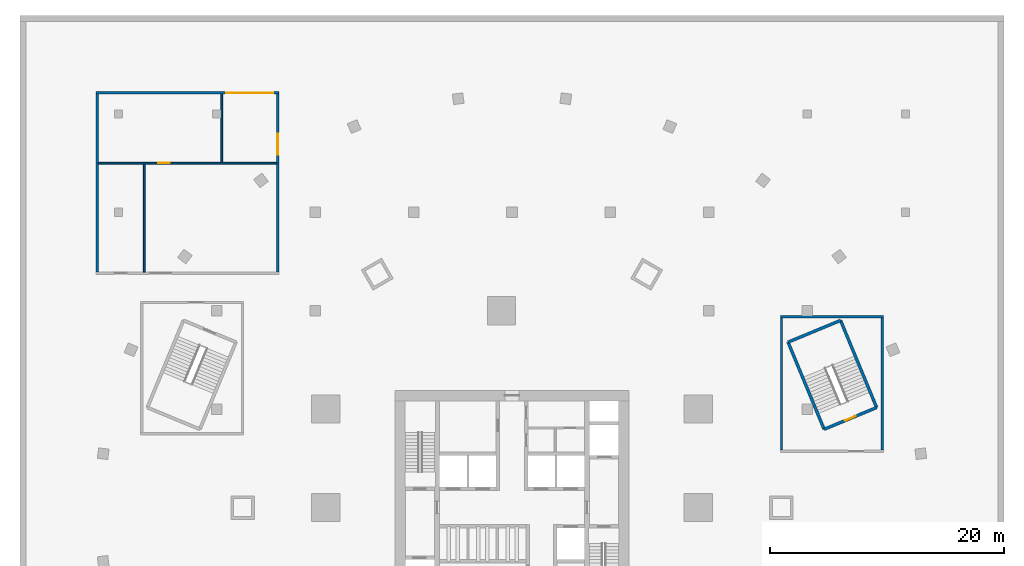
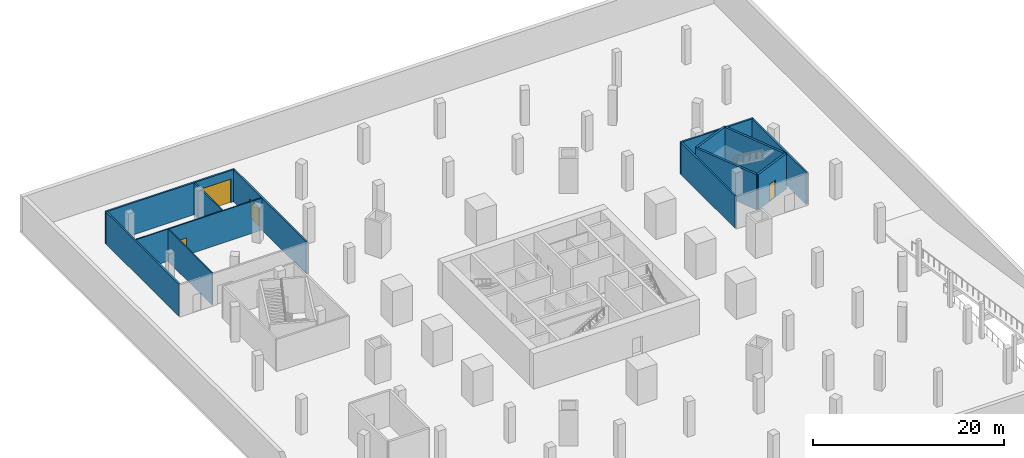
# One storey, part 6 of 9: 13 walls, 4 doors, 4 openings.
"""IFC4 building model written with IfcOpenShell, lengths in metres."""

from ifc_helpers import new_model, si_unit, direction, frame, frame_2d, origin, place, context, subcontext, project, spatial, rectangle, extrude, material, layer, layer_set, type_object, element, fill, save


model = new_model("IFC4")

# Units and contexts
model_context = context("Model", 3, precision=1e-05, world=origin(), true_north=direction((0.0, 1.0)))
body_context = subcontext(model_context, "Body", "Model", "MODEL_VIEW")
ifc_project = project(units=[si_unit("LENGTHUNIT", "METRE"), si_unit("AREAUNIT", "SQUARE_METRE"), si_unit("VOLUMEUNIT", "CUBIC_METRE"), si_unit("PLANEANGLEUNIT", "RADIAN"), si_unit("MASSUNIT", "GRAM", prefix="KILO")], contexts=[model_context])

# Site, building, storey
site_placement = place(None, origin())
site = spatial("IfcSite", under=ifc_project, at=site_placement, CompositionType="ELEMENT")
building_placement = place(site_placement, origin())
building = spatial("IfcBuilding", under=site, at=building_placement, Name="Golbaran Civic Tower", CompositionType="ELEMENT")
storey_placement = place(building_placement, frame((0.0, 0.0, -4.5)))
storey = spatial("IfcBuildingStorey", under=building, at=storey_placement, Name="B1", CompositionType="ELEMENT", Elevation=-4.5)

# Wall, opening, door
ifc_material_1 = material(Name="Concrete block, fire-rated", Category="concrete")
ifc_layer_1 = layer(ifc_material_1, 0.14990234375, Name="Concrete block, fire-rated")
ifc_layer_set_1 = layer_set([ifc_layer_1], Name="Concrete block, fire-rated")
wall_type_1 = type_object("IfcWallType", Name="BASEMENT ROOM PARTITION 150", PredefinedType="PARTITIONING", material=ifc_layer_set_1)
wall_1_placement = place(storey_placement, frame((-35.300048828125, 29.39990234375, 0.0), z_axis=(0.0, 0.0, 1.0), x_axis=(1.0, 0.0, 0.0)))
wall_1 = element("IfcWall", 1, at=wall_1_placement, inside=storey, type_object=wall_type_1, Name="Basement room partition B1", PredefinedType="PARTITIONING", context=body_context, shape_type="SweptSolid", body=[
    extrude(rectangle(XDim=15.199951171875, YDim=0.14990234375, at=frame_2d((7.60009765625, 0.0))), origin(), (0.0, 0.0, 1.0), 4.10009765625),
])
opening_1_placement = place(wall_1_placement, frame((5.10009765625, 0.0, 0.0)))
opening_1 = element("IfcOpeningElement", 2, at=opening_1_placement, cuts=wall_1, Name="Opening B1.03", PredefinedType="OPENING", context=body_context, shape_type="SweptSolid", body=[
    extrude(rectangle(XDim=1.0, YDim=2.199951171875, at=frame_2d((0.5, 1.10009765625))), frame((0.0, 0.0849609375, 0.0), z_axis=(0.0, -1.0, 0.0), x_axis=(1.0, 0.0, 0.0)), (0.0, 0.0, 1.0), 0.169921875),
])
ifc_material_2 = material(Name="Steel door set, fire-rated", Category="steel")
door_type_1 = type_object("IfcDoorType", Name="BASEMENT ROOM DOOR 1000x2200", OperationType="SINGLE_SWING_LEFT", PredefinedType="DOOR", material=ifc_material_2)
door_1_placement = place(opening_1_placement, origin())
door_1 = element("IfcDoor", 3, at=door_1_placement, inside=storey, type_object=door_type_1, Name="Waste Store door B1", OperationType="SINGLE_SWING_LEFT", OverallHeight=2.199951171875, OverallWidth=1.0, PredefinedType="DOOR", context=body_context, shape_type="SweptSolid", body=[
    extrude(rectangle(XDim=1.0, YDim=2.199951171875, at=frame_2d((0.5, 1.10009765625))), frame((0.0, 0.02490234375, 0.0), z_axis=(0.0, -1.0, 0.0), x_axis=(1.0, 0.0, 0.0)), (0.0, 0.0, 1.0), 0.050048828125),
])
fill(opening_1, door_1)

# Walls
wall_2_placement = place(storey_placement, frame((-31.39990234375, 20.10009765625, 0.0), z_axis=(0.0, 0.0, 1.0), x_axis=(0.0, 1.0, 0.0)))
element("IfcWall", 4, at=wall_2_placement, inside=storey, type_object=wall_type_1, Name="Basement room partition B1", PredefinedType="PARTITIONING", context=body_context, shape_type="SweptSolid", body=[
    extrude(rectangle(XDim=9.224853515625, YDim=0.14990234375, at=frame_2d((4.6123046875, 0.0))), origin(), (0.0, 0.0, 1.0), 4.10009765625),
])
wall_3_placement = place(storey_placement, frame((-24.77490234375, 29.47509765625, 0.0), z_axis=(0.0, 0.0, 1.0), x_axis=(0.0, 1.0, 0.0)))
element("IfcWall", 5, at=wall_3_placement, inside=storey, type_object=wall_type_1, Name="Basement room partition B1", PredefinedType="PARTITIONING", context=body_context, shape_type="SweptSolid", body=[
    extrude(rectangle(XDim=5.824951171875, YDim=0.14990234375, at=frame_2d((2.91259765625, 0.0))), origin(), (0.0, 0.0, 1.0), 4.10009765625),
])

# Wall, opening, door
ifc_layer_2 = layer(ifc_material_1, 0.199951171875, Name="Concrete block, fire-rated")
ifc_layer_set_2 = layer_set([ifc_layer_2], Name="Concrete block, fire-rated")
wall_type_2 = type_object("IfcWallType", Name="BASEMENT ROOM WALL 200", PredefinedType="PARTITIONING", material=ifc_layer_set_2)
wall_4_placement = place(storey_placement, frame((-20.0, 20.10009765625, 0.0), z_axis=(0.0, 0.0, 1.0), x_axis=(0.0, 1.0, 0.0)))
wall_4 = element("IfcWall", 6, at=wall_4_placement, inside=storey, type_object=wall_type_2, Name="Loading Bay wall B1", PredefinedType="PARTITIONING", context=body_context, shape_type="SweptSolid", body=[
    extrude(rectangle(XDim=15.199951171875, YDim=0.199951171875, at=frame_2d((7.60009765625, 0.0))), origin(), (0.0, 0.0, 1.0), 4.10009765625),
])
opening_2_placement = place(wall_4_placement, frame((10.0, 0.0, 0.0)))
opening_2 = element("IfcOpeningElement", 7, at=opening_2_placement, cuts=wall_4, Name="Opening B1.01", PredefinedType="OPENING", context=body_context, shape_type="SweptSolid", body=[
    extrude(rectangle(XDim=1.800048828125, YDim=2.39990234375, at=frame_2d((0.89990234375, 1.199951171875))), frame((0.0, 0.10986328125, 0.0), z_axis=(0.0, -1.0, 0.0), x_axis=(1.0, 0.0, 0.0)), (0.0, 0.0, 1.0), 0.219970703125),
])
door_type_2 = type_object("IfcDoorType", Name="BASEMENT ROOM DOUBLE DOOR 1800x2400", OperationType="DOUBLE_DOOR_SINGLE_SWING", PredefinedType="DOOR", material=ifc_material_2)
door_2_placement = place(opening_2_placement, origin())
door_2 = element("IfcDoor", 8, at=door_2_placement, inside=storey, type_object=door_type_2, Name="Loading Bay door B1", OperationType="DOUBLE_DOOR_SINGLE_SWING", OverallHeight=2.39990234375, OverallWidth=1.800048828125, PredefinedType="DOOR", context=body_context, shape_type="SweptSolid", body=[
    extrude(rectangle(XDim=1.800048828125, YDim=2.39990234375, at=frame_2d((0.89990234375, 1.199951171875))), frame((0.0, 0.02490234375, 0.0), z_axis=(0.0, -1.0, 0.0), x_axis=(1.0, 0.0, 0.0)), (0.0, 0.0, 1.0), 0.050048828125),
])
fill(opening_2, door_2)

wall_5_placement = place(storey_placement, frame((-19.89990234375, 35.39990234375, 0.0), z_axis=(0.0, 0.0, 1.0), x_axis=(-1.0, 0.0, 0.0)))
wall_5 = element("IfcWall", 9, at=wall_5_placement, inside=storey, type_object=wall_type_2, Name="Loading Bay wall B1", PredefinedType="PARTITIONING", context=body_context, shape_type="SweptSolid", body=[
    extrude(rectangle(XDim=15.60009765625, YDim=0.199951171875, at=frame_2d((7.800048828125, 0.0))), origin(), (0.0, 0.0, 1.0), 4.10009765625),
])
opening_3_placement = place(wall_5_placement, frame((0.5, 0.0, 0.0)))
opening_3 = element("IfcOpeningElement", 10, at=opening_3_placement, cuts=wall_5, Name="Opening B1.02", PredefinedType="OPENING", context=body_context, shape_type="SweptSolid", body=[
    extrude(rectangle(XDim=4.0, YDim=3.0, at=frame_2d((2.0, 1.5))), frame((0.0, 0.10986328125, 0.0), z_axis=(0.0, -1.0, 0.0), x_axis=(1.0, 0.0, 0.0)), (0.0, 0.0, 1.0), 0.219970703125),
])
ifc_material_3 = material(Name="Galvanised steel roller shutter", Category="steel")
door_type_3 = type_object("IfcDoorType", Name="LOADING BAY ROLLER SHUTTER 4000x3000", OperationType="ROLLINGUP", PredefinedType="DOOR", material=ifc_material_3)
door_3_placement = place(opening_3_placement, origin())
door_3 = element("IfcDoor", 11, at=door_3_placement, inside=storey, type_object=door_type_3, Name="Loading bay vehicle shutter B1", OperationType="ROLLINGUP", OverallHeight=3.0, OverallWidth=4.0, PredefinedType="DOOR", context=body_context, shape_type="SweptSolid", body=[
    extrude(rectangle(XDim=4.0, YDim=3.0, at=frame_2d((2.0, 1.5))), frame((0.0, 0.02490234375, 0.0), z_axis=(0.0, -1.0, 0.0), x_axis=(1.0, 0.0, 0.0)), (0.0, 0.0, 1.0), 0.050048828125),
])
fill(opening_3, door_3)

# Wall
wall_6_placement = place(storey_placement, frame((-35.39990234375, 35.300048828125, 0.0), z_axis=(0.0, 0.0, 1.0), x_axis=(0.0, -1.0, 0.0)))
element("IfcWall", 12, at=wall_6_placement, inside=storey, type_object=wall_type_2, Name="Loading Bay wall B1", PredefinedType="PARTITIONING", context=body_context, shape_type="SweptSolid", body=[
    extrude(rectangle(XDim=15.199951171875, YDim=0.199951171875, at=frame_2d((7.60009765625, 0.0))), origin(), (0.0, 0.0, 1.0), 4.10009765625),
])

# Wall, opening, door
ifc_material_4 = material(Name="Concrete C50/60", Category="concrete")
ifc_layer_3 = layer(ifc_material_4, 0.25, Name="Concrete C50/60")
ifc_layer_set_3 = layer_set([ifc_layer_3], Name="Concrete C50/60")
wall_type_3 = type_object("IfcWallType", Name="STAIR ENCLOSURE WALL CONCRETE 250", PredefinedType="SOLIDWALL", material=ifc_layer_set_3)
wall_7_placement = place(storey_placement, frame((31.12744140625, 8.536865234375, 0.0), z_axis=(0.0, 0.0, 1.0), x_axis=(-0.923880627248, -0.382680789426, 0.0)))
wall_7 = element("IfcWall", 13, at=wall_7_placement, inside=storey, type_object=wall_type_3, Name="Stair P1 enclosure A B1", PredefinedType="SOLIDWALL", context=body_context, shape_type="SweptSolid", body=[
    extrude(rectangle(XDim=4.849853515625, YDim=0.25, at=frame_2d((2.4248046875, 0.0))), origin(), (0.0, 0.0, 1.0), 4.5),
])
opening_4_placement = place(wall_7_placement, frame((1.925048828125, 0.0, 0.0)))
opening_4 = element("IfcOpeningElement", 14, at=opening_4_placement, cuts=wall_7, Name="Opening B1.P1", PredefinedType="OPENING", context=body_context, shape_type="SweptSolid", body=[
    extrude(rectangle(XDim=1.0, YDim=2.199951171875, at=frame_2d((0.5, 1.10009765625))), frame((0.0, 0.135009765625, 0.0), z_axis=(0.0, -1.0, 0.0), x_axis=(1.0, 0.0, 0.0)), (0.0, 0.0, 1.0), 0.27001953125),
])
ifc_material_5 = material(Name="Timber door set in steel frame", Category="steel")
door_type_4 = type_object("IfcDoorType", Name="STAIR DOOR 1000x2200", OperationType="SINGLE_SWING_LEFT", PredefinedType="DOOR", material=ifc_material_5)
door_4_placement = place(opening_4_placement, origin())
door_4 = element("IfcDoor", 15, at=door_4_placement, inside=storey, type_object=door_type_4, Name="Stair P1 door", OperationType="SINGLE_SWING_RIGHT", OverallHeight=2.199951171875, OverallWidth=1.0, PredefinedType="DOOR", context=body_context, shape_type="SweptSolid", body=[
    extrude(rectangle(XDim=1.0, YDim=2.199951171875, at=frame_2d((0.5, 1.10009765625))), frame((0.0, 0.02490234375, 0.0), z_axis=(0.0, -1.0, 0.0), x_axis=(1.0, 0.0, 0.0)), (0.0, 0.0, 1.0), 0.050048828125),
])
fill(opening_4, door_4)

# Walls
wall_8_placement = place(storey_placement, frame((26.646728515625, 6.680908203125, 0.0), z_axis=(0.0, 0.0, 1.0), x_axis=(-0.382689294869, 0.923877104161, 0.0)))
element("IfcWall", 16, at=wall_8_placement, inside=storey, type_object=wall_type_3, Name="Stair P1 enclosure B B1", PredefinedType="SOLIDWALL", context=body_context, shape_type="SweptSolid", body=[
    extrude(rectangle(XDim=8.0498046875, YDim=0.25, at=frame_2d((4.02490234375, 0.0))), origin(), (0.0, 0.0, 1.0), 4.5),
])
wall_9_placement = place(storey_placement, frame((23.566162109375, 14.117919921875, 0.0), z_axis=(0.0, 0.0, 1.0), x_axis=(0.923862828997, 0.382723755727, 0.0)))
element("IfcWall", 17, at=wall_9_placement, inside=storey, type_object=wall_type_3, Name="Stair P1 enclosure C B1", PredefinedType="SOLIDWALL", context=body_context, shape_type="SweptSolid", body=[
    extrude(rectangle(XDim=4.85009765625, YDim=0.25, at=frame_2d((2.425048828125, 0.0))), origin(), (0.0, 0.0, 1.0), 4.5),
])
wall_10_placement = place(storey_placement, frame((28.046875, 15.97412109375, 0.0), z_axis=(0.0, 0.0, 1.0), x_axis=(0.382678572144, -0.923881545666, 0.0)))
element("IfcWall", 18, at=wall_10_placement, inside=storey, type_object=wall_type_3, Name="Stair P1 enclosure D B1", PredefinedType="SOLIDWALL", context=body_context, shape_type="SweptSolid", body=[
    extrude(rectangle(XDim=8.050048828125, YDim=0.25, at=frame_2d((4.02490234375, 0.0))), origin(), (0.0, 0.0, 1.0), 4.5),
])
ifc_material_6 = material(Name="Reinforced blockwork, fire-rated", Category="masonry")
ifc_layer_4 = layer(ifc_material_6, 0.199951171875, Name="Reinforced blockwork, fire-rated")
ifc_layer_set_4 = layer_set([ifc_layer_4], Name="Reinforced blockwork, fire-rated")
wall_type_4 = type_object("IfcWallType", Name="STAIR LOBBY WALL 200", PredefinedType="PARTITIONING", material=ifc_layer_set_4)
wall_11_placement = place(storey_placement, frame((31.60009765625, 4.89990234375, 0.0), z_axis=(0.0, 0.0, 1.0), x_axis=(0.0, 1.0, 0.0)))
element("IfcWall", 19, at=wall_11_placement, inside=storey, type_object=wall_type_4, Name="Stair P1 lobby wall B1", PredefinedType="PARTITIONING", context=body_context, shape_type="SweptSolid", body=[
    extrude(rectangle(XDim=11.300048828125, YDim=0.199951171875, at=frame_2d((5.64990234375, 0.0))), origin(), (0.0, 0.0, 1.0), 4.10009765625),
])
wall_12_placement = place(storey_placement, frame((31.699951171875, 16.300048828125, 0.0), z_axis=(0.0, 0.0, 1.0), x_axis=(-1.0, 0.0, 0.0)))
element("IfcWall", 20, at=wall_12_placement, inside=storey, type_object=wall_type_4, Name="Stair P1 lobby wall B1", PredefinedType="PARTITIONING", context=body_context, shape_type="SweptSolid", body=[
    extrude(rectangle(XDim=8.800048828125, YDim=0.199951171875, at=frame_2d((4.39990234375, 0.0))), origin(), (0.0, 0.0, 1.0), 4.10009765625),
])
wall_13_placement = place(storey_placement, frame((23.0, 16.199951171875, 0.0), z_axis=(0.0, 0.0, 1.0), x_axis=(0.0, -1.0, 0.0)))
element("IfcWall", 21, at=wall_13_placement, inside=storey, type_object=wall_type_4, Name="Stair P1 lobby wall B1", PredefinedType="PARTITIONING", context=body_context, shape_type="SweptSolid", body=[
    extrude(rectangle(XDim=11.300048828125, YDim=0.199951171875, at=frame_2d((5.64990234375, 0.0))), origin(), (0.0, 0.0, 1.0), 4.10009765625),
])

save(model, "model.ifc")
